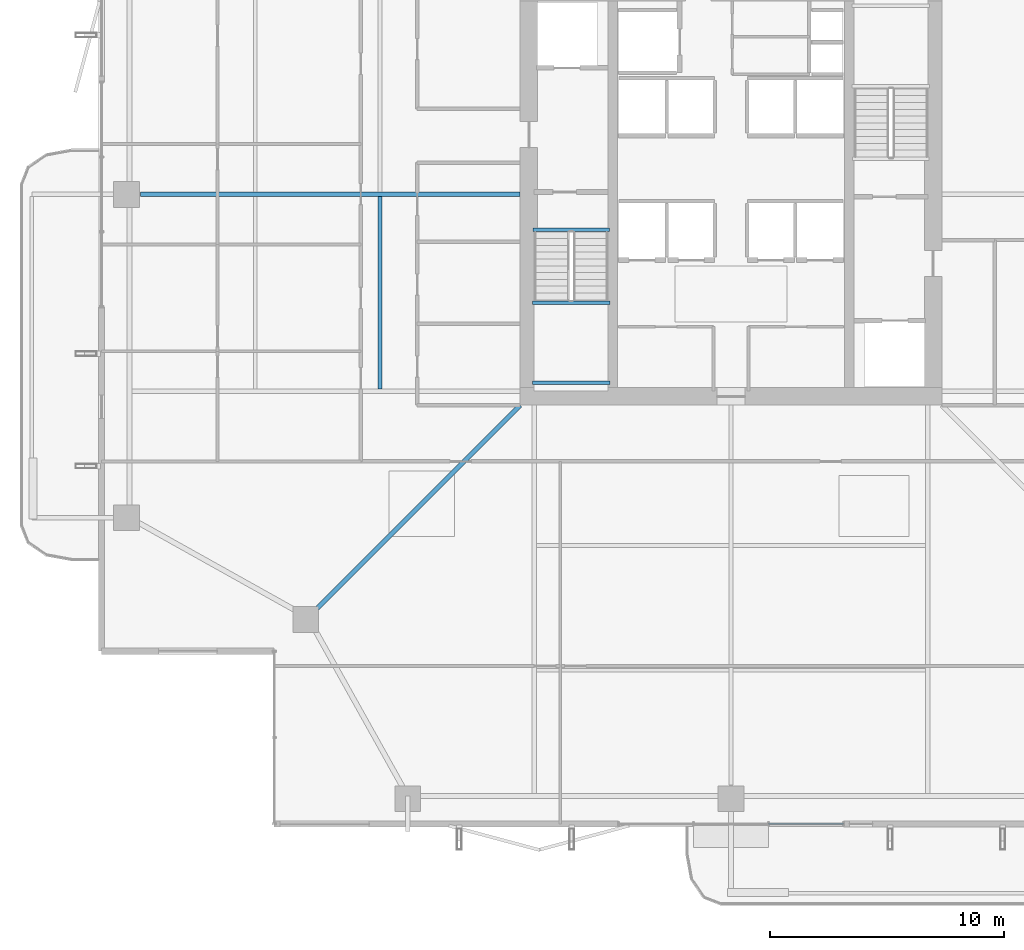
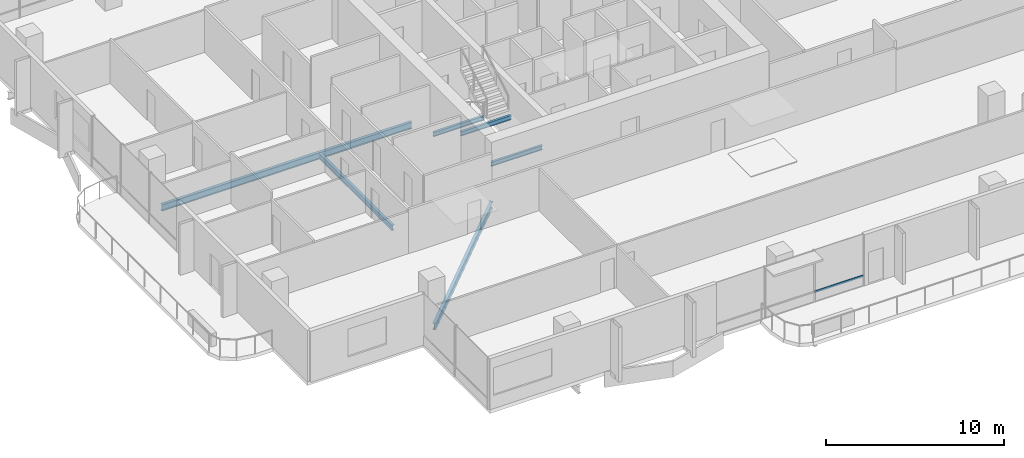
# One storey, part 6 of 29: 6 beams, 1 member, 1 element without a shape of its own.
"""IFC4 building model written with IfcOpenShell, lengths in metres."""

import ifcopenshell
import ifcopenshell.guid

model = None  # the IFC model being written
_history = None  # IfcOwnerHistory: only IFC2X3 demands one
_inside = {}  # id of a spatial element -> (the spatial element, [elements in it])
_under = {}  # id of a project, library or spatial element -> (it, [spatial elements below it])
_declared = {}  # id of a project -> (the project, [libraries it declares])
_typed = {}  # id of a type object -> (the type object, [elements of that type])
_made_of = {}  # id of a material, layer set ... -> (it, [elements and type objects made of it])


def new_model(schema):
    """Start an empty IFC model of exactly this schema.

    Asked for "IFC4X3", IfcOpenShell would pick the latest addendum, in which some entities
    have other attributes; the version numbers below select the first issue.
    IFC2X3 requires an IfcOwnerHistory on every rooted entity: one is made here for all.
    """
    global model, _history
    if schema == "IFC4X3":
        model = ifcopenshell.file(schema_version=(4, 3, 0, 0))
    else:
        model = ifcopenshell.file(schema=schema)
    _inside.clear()
    _under.clear()
    _declared.clear()
    _typed.clear()
    _made_of.clear()
    _history = None
    if model.schema == "IFC2X3":
        org = make("IfcOrganization", Name="unknown")
        user = make(
            "IfcPersonAndOrganization",
            ThePerson=make("IfcPerson", FamilyName="unknown"),
            TheOrganization=org,
        )
        app = make(
            "IfcApplication",
            ApplicationDeveloper=org,
            Version="unknown",
            ApplicationFullName="unknown",
            ApplicationIdentifier="unknown",
        )
        _history = make(
            "IfcOwnerHistory",
            OwningUser=user,
            OwningApplication=app,
            ChangeAction="ADDED",
            CreationDate=0,
        )
    return model


def make(cls, **values):
    """One entity of the class cls with the attributes given. An attribute that is None is left unset."""
    return model.create_entity(
        cls, **{name: value for name, value in values.items() if value is not None}
    )


def rooted(cls, **values):
    """An entity with a GlobalId (a new one), such as an element, a storey or a relation."""
    return make(cls, GlobalId=ifcopenshell.guid.new(), OwnerHistory=_history, **values)


def si_unit(unit_type, name, prefix=None):
    """IfcSIUnit, for example si_unit("LENGTHUNIT", "METRE", prefix="MILLI")."""
    return make("IfcSIUnit", UnitType=unit_type, Prefix=prefix, Name=name)


def assignment(units):
    """IfcUnitAssignment: the units of a project."""
    return None if units is None else make("IfcUnitAssignment", Units=units)


def point(xyz):
    """IfcCartesianPoint."""
    return None if xyz is None else make("IfcCartesianPoint", Coordinates=xyz)


def direction(xyz):
    """IfcDirection."""
    return None if xyz is None else make("IfcDirection", DirectionRatios=xyz)


def frame(location, z_axis=None, x_axis=None):
    """IfcAxis2Placement3D, a coordinate frame: its origin and axes. An axis left out is left unset."""
    return make(
        "IfcAxis2Placement3D",
        Location=point(location),
        Axis=direction(z_axis),
        RefDirection=direction(x_axis),
    )


def frame_2d(location, x_axis=None):
    """IfcAxis2Placement2D, a coordinate frame in the plane: its origin and x axis."""
    return make(
        "IfcAxis2Placement2D", Location=point(location), RefDirection=direction(x_axis)
    )


def origin():
    """The frame at (0, 0, 0) with its axes left unset."""
    return frame((0.0, 0.0, 0.0))


def origin_2d():
    """The frame at (0, 0) in the plane with its x axis left unset."""
    return frame_2d((0.0, 0.0))


def place(relative_to, where):
    """IfcLocalPlacement: puts the frame where relative to a parent placement (None: the world)."""
    return make(
        "IfcLocalPlacement", PlacementRelTo=relative_to, RelativePlacement=where
    )


def context(
    kind, dimensions, precision=None, world=None, true_north=None, identifier=None
):
    """IfcGeometricRepresentationContext, for example the 3D "Model" context."""
    return make(
        "IfcGeometricRepresentationContext",
        ContextIdentifier=identifier,
        ContextType=kind,
        CoordinateSpaceDimension=dimensions,
        Precision=precision,
        WorldCoordinateSystem=world,
        TrueNorth=true_north,
    )


def subcontext(parent, identifier, kind, view, scale=None):
    """IfcGeometricRepresentationSubContext, for example "Body" below "Model"."""
    return make(
        "IfcGeometricRepresentationSubContext",
        ContextIdentifier=identifier,
        ContextType=kind,
        ParentContext=parent,
        TargetScale=scale,
        TargetView=view,
    )


def project(units=None, contexts=None):
    """IfcProject with its units and contexts."""
    return rooted(
        "IfcProject",
        Name="project",
        RepresentationContexts=contexts,
        UnitsInContext=assignment(units),
    )


def spatial(cls, under=None, at=None, **own):
    """A site, building, storey or space (cls), placed at a placement, below another one or the project."""
    s = rooted(cls, ObjectPlacement=at, **own)
    if under is not None:
        _under.setdefault(under.id(), (under, []))[1].append(s)
    return s


def profile(cls, at=None, kind="AREA", **sizes):
    """A parametric profile (cls). Its sizes go by their IFC names, for example OverallWidth=200.0."""
    return make(cls, ProfileType=kind, Position=at, **sizes)


def hollow_rectangle(**sizes):
    """IfcRectangleHollowProfileDef."""
    return profile("IfcRectangleHollowProfileDef", **sizes)


def i_section(**sizes):
    """IfcIShapeProfileDef."""
    return profile("IfcIShapeProfileDef", **sizes)


def extrude(swept, where, along, depth):
    """IfcExtrudedAreaSolid: the profile swept, set in the frame where, extruded along a direction by depth."""
    return make(
        "IfcExtrudedAreaSolid",
        SweptArea=swept,
        Position=where,
        ExtrudedDirection=direction(along),
        Depth=depth,
    )


def shape(context_of_items, identifier, shape_type, items):
    """IfcShapeRepresentation: the items that make up one representation, for example the "Body"."""
    return make(
        "IfcShapeRepresentation",
        ContextOfItems=context_of_items,
        RepresentationIdentifier=identifier,
        RepresentationType=shape_type,
        Items=items,
    )


def material(Name=None, Category=None):
    """IfcMaterial."""
    return make("IfcMaterial", Name=Name, Category=Category)


def layer(
    of_material, thickness, ventilated=None, Name=None, Category=None, Priority=None
):
    """IfcMaterialLayer: one layer of a wall or slab, of a material (None: an air gap)."""
    return make(
        "IfcMaterialLayer",
        Material=of_material,
        LayerThickness=thickness,
        IsVentilated=ventilated,
        Name=Name,
        Category=Category,
        Priority=Priority,
    )


def layer_set(layers, Name=None):
    """IfcMaterialLayerSet."""
    return make("IfcMaterialLayerSet", MaterialLayers=layers, LayerSetName=Name)


def material_profile(
    of_material, cross_section, Name=None, Category=None, Priority=None
):
    """IfcMaterialProfile: a cross section and its material."""
    return make(
        "IfcMaterialProfile",
        Name=Name,
        Material=of_material,
        Profile=cross_section,
        Priority=Priority,
        Category=Category,
    )


def profile_set(profiles, Name=None, composite=None):
    """IfcMaterialProfileSet."""
    return make(
        "IfcMaterialProfileSet",
        Name=Name,
        MaterialProfiles=profiles,
        CompositeProfile=composite,
    )


def made_of(thing, what):
    """Note that an element or type object is made of a material, layer set ...; save() writes the relation."""
    if what is not None:
        _made_of.setdefault(what.id(), (what, []))[1].append(thing)
    return thing


def type_object(cls, material=None, **own):
    """A type object (cls), such as IfcWallType, which elements share."""
    return made_of(rooted(cls, **own), material)


def element(
    cls,
    number,
    at=None,
    inside=None,
    cuts=None,
    type_object=None,
    material=None,
    context=None,
    identifier="Body",
    shape_type=None,
    held_by="IfcProductDefinitionShape",
    body=None,
    shapes=None,
    **own,
):
    """One element of the class cls, such as IfcWall. Its Tag is "e" and its number.

    at: its placement. inside: the storey or other place that contains it. cuts: it is an
    opening in that element (IfcRelVoidsElement). A single representation is given by context,
    identifier, shape_type and body (its items); several are given by shapes. held_by: the class
    of the entity that holds the representations. save() writes the other relations.
    """
    e = rooted(cls, Tag="e%d" % number, ObjectPlacement=at, **own)
    if body is not None:
        shapes = [shape(context, identifier, shape_type, body)]
    if shapes is not None:
        e.Representation = make(held_by, Representations=shapes)
    if inside is not None:
        _inside.setdefault(inside.id(), (inside, []))[1].append(e)
    if cuts is not None:
        rooted(
            "IfcRelVoidsElement", RelatingBuildingElement=cuts, RelatedOpeningElement=e
        )
    if type_object is not None:
        _typed.setdefault(type_object.id(), (type_object, []))[1].append(e)
    return made_of(e, material)


def aggregate(whole, parts):
    """IfcRelAggregates: a whole, such as a stair, and the parts it consists of."""
    return rooted("IfcRelAggregates", RelatingObject=whole, RelatedObjects=parts)


def save(model, path):
    """Write the relations noted so far, then the file.

    IfcRelAggregates (storeys below a building ...), IfcRelContainedInSpatialStructure (elements
    in a storey), IfcRelDefinesByType, IfcRelAssociatesMaterial and IfcRelDeclares: one each for
    every whole, place, type object, material and project.
    """
    for whole, parts in _under.values():
        aggregate(whole, parts)
    for where, things in _inside.values():
        rooted(
            "IfcRelContainedInSpatialStructure",
            RelatedElements=things,
            RelatingStructure=where,
        )
    for kind, things in _typed.values():
        rooted("IfcRelDefinesByType", RelatedObjects=things, RelatingType=kind)
    for what, things in _made_of.values():
        rooted("IfcRelAssociatesMaterial", RelatedObjects=things, RelatingMaterial=what)
    for by, libraries in _declared.values():
        rooted("IfcRelDeclares", RelatingContext=by, RelatedDefinitions=libraries)
    model.write(path)


model = new_model("IFC4")

# Units and contexts
model_context = context("Model", 3, precision=1e-05, world=origin(), true_north=direction((0.0, 1.0)))
body_context = subcontext(model_context, "Body", "Model", "MODEL_VIEW")
ifc_project = project(units=[si_unit("LENGTHUNIT", "METRE"), si_unit("AREAUNIT", "SQUARE_METRE"), si_unit("VOLUMEUNIT", "CUBIC_METRE"), si_unit("PLANEANGLEUNIT", "RADIAN"), si_unit("MASSUNIT", "GRAM", prefix="KILO")], contexts=[model_context])

# Site, building, storey
site_placement = place(None, origin())
site = spatial("IfcSite", under=ifc_project, at=site_placement, CompositionType="ELEMENT")
building_placement = place(site_placement, origin())
building = spatial("IfcBuilding", under=site, at=building_placement, Name="Belovzor Exchange Tower", CompositionType="ELEMENT")
storey_placement = place(building_placement, frame((0.0, 0.0, 199.949951171875)))
storey = spatial("IfcBuildingStorey", under=building, at=storey_placement, Name="L49", CompositionType="ELEMENT", Elevation=199.949951171875)

# Beams
ifc_material_1 = material(Name="Steel S355", Category="steel")
ifc_material_profile_1 = material_profile(ifc_material_1, i_section(OverallWidth=0.169921875, OverallDepth=0.360107421875, WebThickness=0.008056640625, FlangeThickness=0.0126953125, at=origin_2d()))
ifc_profile_set_1 = profile_set([ifc_material_profile_1], Name="Steel S355")
beam_type_1 = type_object("IfcBeamType", Name="Secondary Infill Floor Joist IPE 360", PredefinedType="BEAM", material=ifc_profile_set_1)
beam_1_placement = place(storey_placement, frame((13.81591796875, 20.4951171875, -0.429931640625), z_axis=(0.0, 1.0, 0.0), x_axis=(-1.0, 0.0, 0.0)))
element("IfcBeam", 1, at=beam_1_placement, inside=storey, type_object=beam_type_1, Name="FJ-360 Secondary Infill Floor Joist IPE 360", PredefinedType="BEAM", context=body_context, shape_type="SweptSolid", body=[
    extrude(i_section(OverallWidth=0.169921875, OverallDepth=0.360107421875, WebThickness=0.008056640625, FlangeThickness=0.0126953125, at=origin_2d()), origin(), (0.0, 0.0, 1.0), 8.2099609375),
])
ifc_material_2 = material(Name="Steel S355", Category="steel")
ifc_material_profile_2 = material_profile(ifc_material_2, i_section(OverallWidth=0.14990234375, OverallDepth=0.300048828125, WebThickness=0.007080078125, FlangeThickness=0.0107421875, at=origin_2d()))
ifc_profile_set_2 = profile_set([ifc_material_profile_2], Name="Steel S355")
beam_type_2 = type_object("IfcBeamType", Name="Secondary Trim Floor Joist IPE 300", PredefinedType="BEAM", material=ifc_profile_set_2)
for number, where, z_axis, x_axis, name in (
    (2, (20.320068359375, 24.179931640625, 1.525146484375), (1.0, 0.0, 0.0), (0.0, 1.0, 0.0), "FJ-300 Secondary Trim Floor Joist IPE 300"),
    (3, (20.320068359375, 20.75, 1.525146484375), (1.0, 0.0, 0.0), (0.0, 1.0, 0.0), "FJ-300 Secondary Trim Floor Joist IPE 300"),
):
    element("IfcBeam", number, at=place(storey_placement, frame(where, z_axis=z_axis, x_axis=x_axis)), inside=storey, type_object=beam_type_2, Name=name, PredefinedType="BEAM", context=body_context, shape_type="SweptSolid", body=[
        extrude(i_section(OverallWidth=0.14990234375, OverallDepth=0.300048828125, WebThickness=0.007080078125, FlangeThickness=0.0107421875, at=origin_2d()), origin(), (0.0, 0.0, 1.0), 3.309814453125),
    ])
beam_2_placement = place(storey_placement, frame((20.340087890625, 27.280029296875, -0.39990234375), z_axis=(1.0, 0.0, 0.0), x_axis=(0.0, 1.0, 0.0)))
element("IfcBeam", 4, at=beam_2_placement, inside=storey, type_object=beam_type_2, Name="FJ-300 Secondary Trim Floor Joist IPE 300", PredefinedType="BEAM", context=body_context, shape_type="SweptSolid", body=[
    extrude(i_section(OverallWidth=0.14990234375, OverallDepth=0.300048828125, WebThickness=0.007080078125, FlangeThickness=0.0107421875, at=origin_2d()), origin(), (0.0, 0.0, 1.0), 3.27001953125),
])

# Curtain wall, member
ifc_material_3 = material(Name="Anodised Aluminium Framing", Category="aluminium")
ifc_layer = layer(ifc_material_3, 0.179931640625)
ifc_layer_set = layer_set([ifc_layer], Name="Anodised Aluminium Framing")
curtain_wall_type = type_object("IfcCurtainWallType", Name="Recessed Loggia Low-Iron Triple-Glazed Curtain Wall", PredefinedType="NOTDEFINED", material=ifc_layer_set)
curtain_wall_placement = place(storey_placement, origin())
curtain_wall = element("IfcCurtainWall", 5, at=curtain_wall_placement, inside=storey, type_object=curtain_wall_type, Name="CW3 Recessed Loggia Low-Iron Triple-Glazed Curtain Wall L49", PredefinedType="NOTDEFINED")
ifc_material_4 = material(Name="Steel S355", Category="steel")
ifc_material_profile_3 = material_profile(ifc_material_4, hollow_rectangle(XDim=0.06005859375, YDim=0.14990234375, WallThickness=0.00390625, at=origin_2d()))
ifc_profile_set_3 = profile_set([ifc_material_profile_3], Name="Steel S355")
member_type = type_object("IfcMemberType", Name="Thermally Broken Curtain Wall Transom 150x60", PredefinedType="USERDEFINED", material=ifc_profile_set_3)
member_placement = place(storey_placement, frame((33.592041015625, 1.929931640625, 0.630126953125), z_axis=(-1.0, 0.0, 0.0), x_axis=(0.0, -1.0, 0.0)))
member = element("IfcMember", 6, at=member_placement, type_object=member_type, Name="CW-T150 Curtain Wall Transom 1", ObjectType="TRANSOM", PredefinedType="USERDEFINED", context=body_context, shape_type="SweptSolid", body=[
    extrude(hollow_rectangle(XDim=0.06005859375, YDim=0.14990234375, WallThickness=0.00390625, at=origin_2d()), origin(), (0.0, 0.0, 1.0), 3.18408203125),
])
aggregate(curtain_wall, [member])

# Beams
ifc_material_5 = material(Name="Steel S355", Category="steel")
ifc_material_profile_4 = material_profile(ifc_material_5, i_section(OverallWidth=0.18994140625, OverallDepth=0.449951171875, WebThickness=0.009521484375, FlangeThickness=0.0146484375, at=origin_2d()))
ifc_profile_set_4 = profile_set([ifc_material_profile_4], Name="Steel S355")
beam_type_3 = type_object("IfcBeamType", Name="Zone 2-4 Radial Composite Floor Beam IPE 450", PredefinedType="BEAM", material=ifc_profile_set_4)
beam_3_placement = place(storey_placement, frame((19.800048828125, 28.800048828125, -0.474853515625), z_axis=(-1.0, 0.0, 0.0), x_axis=(0.0, -1.0, 0.0)))
element("IfcBeam", 7, at=beam_3_placement, inside=storey, type_object=beam_type_3, Name="FB-450 Zone 2-4 Radial Composite Floor Beam IPE 450", PredefinedType="BEAM", context=body_context, shape_type="SweptSolid", body=[
    extrude(i_section(OverallWidth=0.18994140625, OverallDepth=0.449951171875, WebThickness=0.009521484375, FlangeThickness=0.0146484375, at=origin_2d()), origin(), (0.0, 0.0, 1.0), 16.2099609375),
])
beam_4_placement = place(storey_placement, frame((19.800048828125, 19.800048828125, -0.474853515625), z_axis=(-0.707106781187, -0.707106781187, 0.0), x_axis=(0.707106781187, -0.707106781187, 0.0)))
element("IfcBeam", 8, at=beam_4_placement, inside=storey, type_object=beam_type_3, Name="FB-450 Zone 2-4 Radial Composite Floor Beam IPE 450", PredefinedType="BEAM", context=body_context, shape_type="SweptSolid", body=[
    extrude(i_section(OverallWidth=0.18994140625, OverallDepth=0.449951171875, WebThickness=0.009521484375, FlangeThickness=0.0146484375, at=origin_2d()), origin(), (0.0, 0.0, 1.0), 12.4208984375),
])

save(model, "model.ifc")
